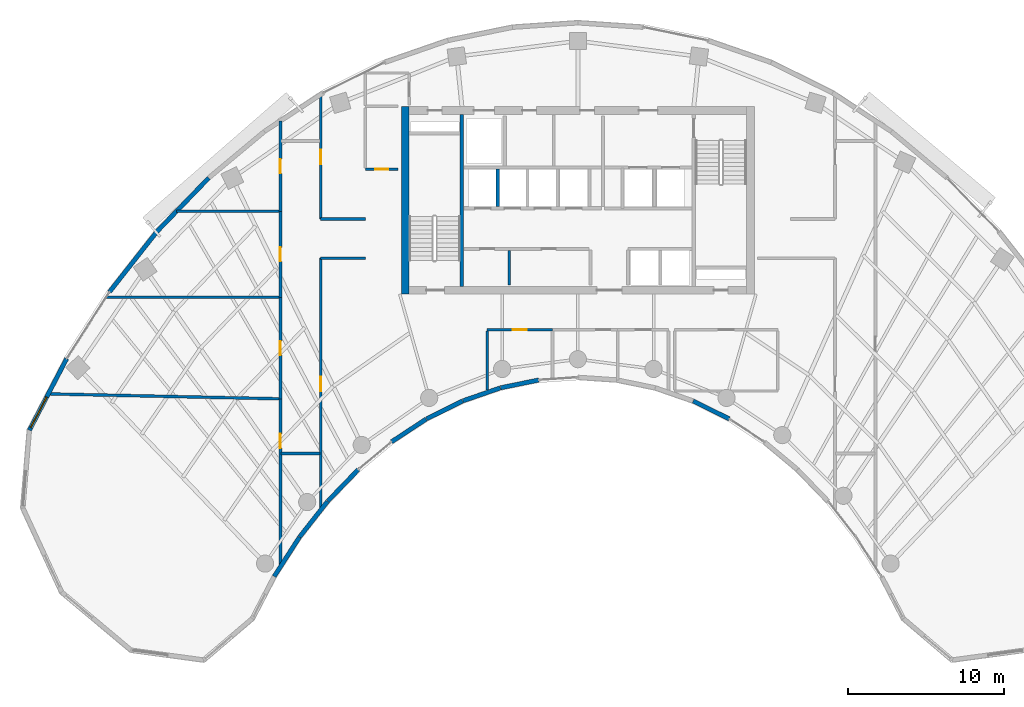
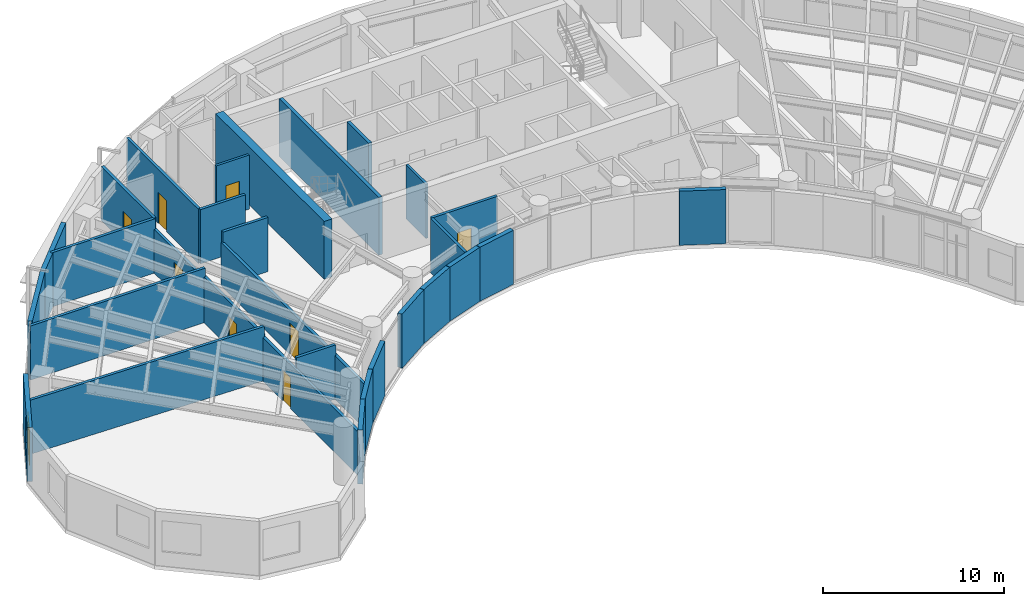
# One storey, part 7 of 13: 30 walls, 8 doors, 1 window, 9 openings.
"""IFC4 building model written with IfcOpenShell, lengths in metres."""

from ifc_helpers import new_model, si_unit, direction, frame, frame_2d, origin, place, context, subcontext, project, spatial, rectangle, extrude, source, transform, mapped, material, layer, layer_set, type_object, type_shapes, element, fill, save


model = new_model("IFC4")

# Units and contexts
model_context = context("Model", 3, precision=1e-05, world=origin(), true_north=direction((0.0, 1.0)))
body_context = subcontext(model_context, "Body", "Model", "MODEL_VIEW")
ifc_project = project(units=[si_unit("LENGTHUNIT", "METRE"), si_unit("AREAUNIT", "SQUARE_METRE"), si_unit("VOLUMEUNIT", "CUBIC_METRE"), si_unit("PLANEANGLEUNIT", "RADIAN"), si_unit("MASSUNIT", "GRAM", prefix="KILO")], contexts=[model_context])

# Site, building, storey
site_placement = place(None, origin())
site = spatial("IfcSite", under=ifc_project, at=site_placement, CompositionType="ELEMENT")
building_placement = place(site_placement, origin())
building = spatial("IfcBuilding", under=site, at=building_placement, Name="Breltana Convention Tower", CompositionType="ELEMENT")
storey_placement = place(building_placement, frame((0.0, 0.0, 170.10009765625)))
storey = spatial("IfcBuildingStorey", under=building, at=storey_placement, Name="L41", CompositionType="ELEMENT", Elevation=170.10009765625)

# Walls
ifc_material_1 = material(Name="Concrete C60/75", Category="concrete")
ifc_layer_1 = layer(ifc_material_1, 0.5, Name="Concrete C60/75")
ifc_layer_set_1 = layer_set([ifc_layer_1], Name="Concrete C60/75")
wall_type_1 = type_object("IfcWallType", Name="SW-CORE-500", PredefinedType="SHEAR", material=ifc_layer_set_1)
shared_shape_1 = source(origin(), body_context, "Body", "SweptSolid", [
    extrude(rectangle(XDim=12.0, YDim=0.5, at=frame_2d((6.0, 0.0))), origin(), (0.0, 0.0, 1.0), 3.89990234375),
])
wall_1_placement = place(storey_placement, frame((36.949951171875, 60.199951171875, 0.0), z_axis=(0.0, 0.0, 1.0), x_axis=(0.0, 1.0, 0.0)))
element("IfcWall", 1, at=wall_1_placement, inside=storey, type_object=wall_type_1, Name="L41 West Core Shear Wall", PredefinedType="SHEAR", context=body_context, shape_type="MappedRepresentation", body=[
    mapped(shared_shape_1, transform((0.0, 0.0, 0.0), scale=1.0)),
])
ifc_material_2 = material(Name="Concrete C50/60", Category="concrete")
ifc_layer_2 = layer(ifc_material_2, 0.39990234375, Name="Concrete C50/60")
ifc_layer_set_2 = layer_set([ifc_layer_2], Name="Concrete C50/60")
wall_type_2 = type_object("IfcWallType", Name="SW-CORE-400", PredefinedType="SHEAR", material=ifc_layer_set_2)
shared_shape_2 = source(origin(), body_context, "Body", "SweptSolid", [
    extrude(rectangle(XDim=11.0, YDim=0.219970703125, at=frame_2d((5.5, 0.0))), origin(), (0.0, 0.0, 1.0), 3.89990234375),
])
wall_2_placement = place(storey_placement, frame((40.580078125, 60.699951171875, 0.0), z_axis=(0.0, 0.0, 1.0), x_axis=(0.0, 1.0, 0.0)))
element("IfcWall", 2, at=wall_2_placement, inside=storey, type_object=wall_type_2, Name="L41 Core West Stair Spine Wall", PredefinedType="SHEAR", context=body_context, shape_type="MappedRepresentation", body=[
    mapped(shared_shape_2, transform((0.0, 0.0, 0.0), scale=1.0)),
])
ifc_material_3 = material(Name="Limestone Buff Insulated Wall", Category="masonry")
ifc_layer_3 = layer(ifc_material_3, 0.280029296875, Name="Limestone Buff Insulated Wall")
ifc_layer_set_3 = layer_set([ifc_layer_3], Name="Limestone Buff Insulated Wall")
wall_type_3 = type_object("IfcWallType", Name="WL-EXT-NOSE-280", PredefinedType="SOLIDWALL", material=ifc_layer_set_3)
shared_shape_3 = source(origin(), body_context, "Body", "SweptSolid", [
    extrude(rectangle(XDim=2.812255859375, YDim=0.280029296875, at=frame_2d((1.40625, 0.0))), origin(), (0.0, 0.0, 1.0), 3.64990234375),
])
wall_3_placement = place(storey_placement, frame((33.945068359375, 48.973388671875, 0.0), z_axis=(0.0, 0.0, 1.0), x_axis=(-0.694583668785, -0.719411931411, 0.0)))
element("IfcWall", 3, at=wall_3_placement, inside=storey, type_object=wall_type_3, Name="L41 curved limestone nose wall E17", PredefinedType="SOLIDWALL", context=body_context, shape_type="MappedRepresentation", body=[
    mapped(shared_shape_3, transform((0.0, 0.0, 0.0), scale=1.0)),
])
shared_shape_4 = source(origin(), body_context, "Body", "SweptSolid", [
    extrude(rectangle(XDim=2.58447265625, YDim=0.280029296875, at=frame_2d((1.292236328125, 0.0))), origin(), (0.0, 0.0, 1.0), 3.64990234375),
])
for number, where, z_axis, x_axis, name in (
    (4, (57.692138671875, 52.21337890625, 0.0), (0.0, 0.0, 1.0), (-0.895989792847, 0.44407464588, 0.0), "L41 curved limestone nose wall E9"),
    (5, (40.62353515625, 53.361083984375, 0.0), (0.0, 0.0, 1.0), (-0.895989792847, -0.44407464588, 0.0), "L41 curved limestone nose wall E15"),
):
    element("IfcWall", number, at=place(storey_placement, frame(where, z_axis=z_axis, x_axis=x_axis)), inside=storey, type_object=wall_type_3, Name=name, PredefinedType="SOLIDWALL", context=body_context, shape_type="MappedRepresentation", body=[
        mapped(shared_shape_4, transform((0.0, 0.0, 0.0), scale=1.0)),
    ])
shared_shape_5 = source(origin(), body_context, "Body", "SweptSolid", [
    extrude(rectangle(XDim=2.52978515625, YDim=0.280029296875, at=frame_2d((1.264892578125, 0.0))), origin(), (0.0, 0.0, 1.0), 3.64990234375),
])
wall_4_placement = place(storey_placement, frame((43.034912109375, 54.1982421875, 0.0), z_axis=(0.0, 0.0, 1.0), x_axis=(-0.944872429646, -0.327438683872, 0.0)))
element("IfcWall", 6, at=wall_4_placement, inside=storey, type_object=wall_type_3, Name="L41 curved limestone nose wall E14", PredefinedType="SOLIDWALL", context=body_context, shape_type="MappedRepresentation", body=[
    mapped(shared_shape_5, transform((0.0, 0.0, 0.0), scale=1.0)),
])
shared_shape_6 = source(origin(), body_context, "Body", "SweptSolid", [
    extrude(rectangle(XDim=2.4912109375, YDim=0.280029296875, at=frame_2d((1.24560546875, 0.0))), origin(), (0.0, 0.0, 1.0), 3.64990234375),
])
wall_5_placement = place(storey_placement, frame((45.498046875, 54.704833984375, 0.0), z_axis=(0.0, 0.0, 1.0), x_axis=(-0.979630885979, -0.200806691214, 0.0)))
element("IfcWall", 7, at=wall_5_placement, inside=storey, type_object=wall_type_3, Name="L41 curved limestone nose wall E13", PredefinedType="SOLIDWALL", context=body_context, shape_type="MappedRepresentation", body=[
    mapped(shared_shape_6, transform((0.0, 0.0, 0.0), scale=1.0)),
])
shared_shape_7 = source(origin(), body_context, "Body", "SweptSolid", [
    extrude(rectangle(XDim=2.65234375, YDim=0.280029296875, at=frame_2d((1.326171875, 0.0))), origin(), (0.0, 0.0, 1.0), 3.64990234375),
])
wall_6_placement = place(storey_placement, frame((38.2890625, 52.202392578125, 0.0), z_axis=(0.0, 0.0, 1.0), x_axis=(-0.836008323535, -0.54871676025, 0.0)))
element("IfcWall", 8, at=wall_6_placement, inside=storey, type_object=wall_type_3, Name="L41 curved limestone nose wall E16", PredefinedType="SOLIDWALL", context=body_context, shape_type="MappedRepresentation", body=[
    mapped(shared_shape_7, transform((0.0, 0.0, 0.0), scale=1.0)),
])
shared_shape_8 = source(origin(), body_context, "Body", "SweptSolid", [
    extrude(rectangle(XDim=2.89697265625, YDim=0.280029296875, at=frame_2d((1.448486328125, 0.0))), origin(), (0.0, 0.0, 1.0), 3.64990234375),
])
wall_7_placement = place(storey_placement, frame((31.9794921875, 46.936279296875, 0.0), z_axis=(0.0, 0.0, 1.0), x_axis=(-0.618167636915, -0.786046291685, 0.0)))
element("IfcWall", 9, at=wall_7_placement, inside=storey, type_object=wall_type_3, Name="L41 curved limestone nose wall E18", PredefinedType="SOLIDWALL", context=body_context, shape_type="MappedRepresentation", body=[
    mapped(shared_shape_8, transform((0.0, 0.0, 0.0), scale=1.0)),
])
shared_shape_9 = source(origin(), body_context, "Body", "SweptSolid", [
    extrude(rectangle(XDim=2.980712890625, YDim=0.280029296875, at=frame_2d((1.490234375, 0.0))), origin(), (0.0, 0.0, 1.0), 3.64990234375),
])
wall_8_placement = place(storey_placement, frame((30.1787109375, 44.64501953125, 0.0), z_axis=(0.0, 0.0, 1.0), x_axis=(-0.540194451908, -0.841540227278, 0.0)))
element("IfcWall", 10, at=wall_8_placement, inside=storey, type_object=wall_type_3, Name="L41 curved limestone nose wall E19", PredefinedType="SOLIDWALL", context=body_context, shape_type="MappedRepresentation", body=[
    mapped(shared_shape_9, transform((0.0, 0.0, 0.0), scale=1.0)),
])

# Wall, opening, window
shared_shape_10 = source(origin(), body_context, "Body", "SweptSolid", [
    extrude(rectangle(XDim=5.1708984375, YDim=0.280029296875, at=frame_2d((2.58544921875, 0.0))), origin(), (0.0, 0.0, 1.0), 3.64990234375),
])
wall_9_placement = place(storey_placement, frame((12.897705078125, 51.48876953125, 0.0), z_axis=(0.0, 0.0, 1.0), x_axis=(0.461752581363, 0.887008767491, 0.0)))
wall_9 = element("IfcWall", 11, at=wall_9_placement, inside=storey, type_object=wall_type_3, Name="L41 curved limestone nose wall W7", PredefinedType="SOLIDWALL", context=body_context, shape_type="MappedRepresentation", body=[
    mapped(shared_shape_10, transform((0.0, 0.0, 0.0), scale=1.0)),
])
opening_1_placement = place(wall_9_placement, frame((0.19287109375, 0.0, 0.949951171875)))
opening_1 = element("IfcOpeningElement", 12, at=opening_1_placement, cuts=wall_9, Name="Opening W-03", PredefinedType="OPENING", context=body_context, shape_type="SweptSolid", body=[
    extrude(rectangle(XDim=2.199951171875, YDim=2.10009765625, at=frame_2d((1.10009765625, 1.050048828125))), frame((0.0, 0.14990234375, 0.0), z_axis=(0.0, -1.0, 0.0), x_axis=(1.0, 0.0, 0.0)), (0.0, 0.0, 1.0), 0.300048828125),
])
ifc_material_4 = material(Name="Glass Low-E Insulated Window", Category="glass")
window_type = type_object("IfcWindowType", Name="WN-NOSE-2200X2100", PartitioningType="TRIPLE_PANEL_VERTICAL", PredefinedType="WINDOW", material=ifc_material_4)
shared_shape_11 = source(origin(), body_context, "Body", "SweptSolid", [
    extrude(rectangle(XDim=2.199951171875, YDim=2.10009765625, at=frame_2d((1.10009765625, 1.050048828125))), frame((0.0, 0.030029296875, 0.0), z_axis=(0.0, -1.0, 0.0), x_axis=(1.0, 0.0, 0.0)), (0.0, 0.0, 1.0), 0.06005859375),
])
type_shapes(window_type, [shared_shape_11])
window_placement = place(opening_1_placement, origin())
window = element("IfcWindow", 13, at=window_placement, inside=storey, type_object=window_type, Name="L41 nose window W7", OverallHeight=2.10009765625, OverallWidth=2.199951171875, PartitioningType="TRIPLE_PANEL_VERTICAL", PredefinedType="WINDOW", context=body_context, shape_type="MappedRepresentation", body=[
    mapped(shared_shape_11, transform((0.0, 0.0, 0.0), scale=1.0)),
])
fill(opening_1, window)

# Walls
shared_shape_12 = source(origin(), body_context, "Body", "SweptSolid", [
    extrude(rectangle(XDim=4.921630859375, YDim=0.280029296875, at=frame_2d((2.4609375, 0.0))), origin(), (0.0, 0.0, 1.0), 3.64990234375),
])
wall_10_placement = place(storey_placement, frame((18.021240234375, 60.337646484375, 0.0), z_axis=(0.0, 0.0, 1.0), x_axis=(0.61817639101, 0.786039407153, 0.0)))
element("IfcWall", 14, at=wall_10_placement, inside=storey, type_object=wall_type_3, Name="L41 curved limestone nose wall E20", PredefinedType="SOLIDWALL", context=body_context, shape_type="MappedRepresentation", body=[
    mapped(shared_shape_12, transform((0.0, 0.0, 0.0), scale=1.0)),
])
shared_shape_13 = source(origin(), body_context, "Body", "SweptSolid", [
    extrude(rectangle(XDim=4.77587890625, YDim=0.280029296875, at=frame_2d((2.387939453125, 0.0))), origin(), (0.0, 0.0, 1.0), 3.64990234375),
])
wall_11_placement = place(storey_placement, frame((21.063720703125, 64.206298828125, 0.0), z_axis=(0.0, 0.0, 1.0), x_axis=(0.694601811851, 0.719394414055, 0.0)))
element("IfcWall", 15, at=wall_11_placement, inside=storey, type_object=wall_type_3, Name="L41 curved limestone nose wall E21", PredefinedType="SOLIDWALL", context=body_context, shape_type="MappedRepresentation", body=[
    mapped(shared_shape_13, transform((0.0, 0.0, 0.0), scale=1.0)),
])
ifc_material_5 = material(Name="Autoclaved Aerated Concrete Block", Category="concrete")
ifc_layer_4 = layer(ifc_material_5, 0.199951171875, Name="Autoclaved Aerated Concrete Block")
ifc_layer_set_4 = layer_set([ifc_layer_4], Name="Autoclaved Aerated Concrete Block")
wall_type_4 = type_object("IfcWallType", Name="WL-SHAFT-200", PredefinedType="SOLIDWALL", material=ifc_layer_set_4)
shared_shape_14 = source(origin(), body_context, "Body", "SweptSolid", [
    extrude(rectangle(XDim=2.39990234375, YDim=0.199951171875, at=frame_2d((1.199951171875, 0.0))), origin(), (0.0, 0.0, 1.0), 3.64990234375),
])
wall_12_placement = place(storey_placement, frame((42.8701171875, 65.800048828125, 0.0), z_axis=(0.0, 0.0, 1.0), x_axis=(0.0, 1.0, 0.0)))
element("IfcWall", 16, at=wall_12_placement, inside=storey, type_object=wall_type_4, Name="L41 interior partition W-L41-SH-M-DIV1", PredefinedType="SOLIDWALL", context=body_context, shape_type="MappedRepresentation", body=[
    mapped(shared_shape_14, transform((0.0, 0.0, 0.0), scale=1.0)),
])

# Wall, opening, door
ifc_material_6 = material(Name="Moisture-Resistant Gypsum Chase Wall")
ifc_layer_5 = layer(ifc_material_6, 0.179931640625, Name="Moisture-Resistant Gypsum Chase Wall")
ifc_layer_set_5 = layer_set([ifc_layer_5], Name="Moisture-Resistant Gypsum Chase Wall")
wall_type_5 = type_object("IfcWallType", Name="WL-PLUMB-180", PredefinedType="PLUMBINGWALL", material=ifc_layer_set_5)
shared_shape_15 = source(origin(), body_context, "Body", "SweptSolid", [
    extrude(rectangle(XDim=4.176025390625, YDim=0.179931640625, at=frame_2d((2.087890625, 0.0))), origin(), (0.0, 0.0, 1.0), 3.64990234375),
])
wall_13_placement = place(storey_placement, frame((42.199951171875, 57.919921875, 0.0), z_axis=(0.0, 0.0, 1.0), x_axis=(1.0, 0.0, 0.0)))
wall_13 = element("IfcWall", 17, at=wall_13_placement, inside=storey, type_object=wall_type_5, Name="L41 interior partition W-L41-WCM-N", PredefinedType="PLUMBINGWALL", context=body_context, shape_type="MappedRepresentation", body=[
    mapped(shared_shape_15, transform((0.0, 0.0, 0.0), scale=1.0)),
])
opening_2_placement = place(wall_13_placement, frame((1.637939453125, 0.0, 0.0)))
opening_2 = element("IfcOpeningElement", 18, at=opening_2_placement, cuts=wall_13, Name="Opening D-19", PredefinedType="OPENING", context=body_context, shape_type="SweptSolid", body=[
    extrude(rectangle(XDim=0.89990234375, YDim=2.080078125, at=frame_2d((0.449951171875, 1.0400390625))), frame((0.0, 0.10009765625, 0.0), z_axis=(0.0, -1.0, 0.0), x_axis=(1.0, 0.0, 0.0)), (0.0, 0.0, 1.0), 0.199951171875),
])
ifc_material_7 = material(Name="Timber Moisture-Resistant Door", Category="wood")
door_type_1 = type_object("IfcDoorType", Name="DR-WC-900", OperationType="NOTDEFINED", PredefinedType="DOOR", material=ifc_material_7)
shared_shape_16 = source(origin(), body_context, "Body", "SweptSolid", [
    extrude(rectangle(XDim=0.89990234375, YDim=2.080078125, at=frame_2d((0.449951171875, 1.0400390625))), frame((0.0, 0.02490234375, 0.0), z_axis=(0.0, -1.0, 0.0), x_axis=(1.0, 0.0, 0.0)), (0.0, 0.0, 1.0), 0.050048828125),
])
type_shapes(door_type_1, [shared_shape_16])
door_1_placement = place(opening_2_placement, origin())
door_1 = element("IfcDoor", 19, at=door_1_placement, inside=storey, type_object=door_type_1, Name="L41 interior door D-L41-WCM", OperationType="SINGLE_SWING_LEFT", OverallHeight=2.080078125, OverallWidth=0.89990234375, PredefinedType="DOOR", context=body_context, shape_type="MappedRepresentation", body=[
    mapped(shared_shape_16, transform((0.0, 0.0, 0.0), scale=1.0)),
])
fill(opening_2, door_1)

# Walls
ifc_material_8 = material(Name="Cement Board Wet-Area Partition")
ifc_layer_6 = layer(ifc_material_8, 0.175048828125, Name="Cement Board Wet-Area Partition")
ifc_layer_set_6 = layer_set([ifc_layer_6], Name="Cement Board Wet-Area Partition")
wall_type_6 = type_object("IfcWallType", Name="WL-WET-175", PredefinedType="PARTITIONING", material=ifc_layer_set_6)
shared_shape_17 = source(origin(), body_context, "Body", "SweptSolid", [
    extrude(rectangle(XDim=3.7626953125, YDim=0.175048828125, at=frame_2d((1.88134765625, 0.0))), origin(), (0.0, 0.0, 1.0), 3.64990234375),
])
wall_14_placement = place(storey_placement, frame((42.199951171875, 54.07861328125, 0.0), z_axis=(0.0, 0.0, 1.0), x_axis=(0.0, 1.0, 0.0)))
element("IfcWall", 20, at=wall_14_placement, inside=storey, type_object=wall_type_6, Name="L41 interior partition W-L41-WCM-W", PredefinedType="PARTITIONING", context=body_context, shape_type="MappedRepresentation", body=[
    mapped(shared_shape_17, transform((0.0, 0.0, 0.0), scale=1.0)),
])
ifc_material_9 = material(Name="Gypsum Acoustic Drywall Partition")
ifc_layer_7 = layer(ifc_material_9, 0.14990234375, Name="Gypsum Acoustic Drywall Partition")
ifc_layer_set_7 = layer_set([ifc_layer_7], Name="Gypsum Acoustic Drywall Partition")
wall_type_7 = type_object("IfcWallType", Name="WL-PART-150", PredefinedType="PARTITIONING", material=ifc_layer_set_7)
shared_shape_18 = source(origin(), body_context, "Body", "SweptSolid", [
    extrude(rectangle(XDim=2.199951171875, YDim=0.14990234375, at=frame_2d((1.10009765625, 0.0))), origin(), (0.0, 0.0, 1.0), 3.64990234375),
])
wall_15_placement = place(storey_placement, frame((43.60009765625, 60.800048828125, 0.0), z_axis=(0.0, 0.0, 1.0), x_axis=(0.0, 1.0, 0.0)))
element("IfcWall", 21, at=wall_15_placement, inside=storey, type_object=wall_type_7, Name="L41 interior partition W-L41-LV7-B1-DIV", PredefinedType="PARTITIONING", context=body_context, shape_type="MappedRepresentation", body=[
    mapped(shared_shape_18, transform((0.0, 0.0, 0.0), scale=1.0)),
])

# Wall, opening, door
shared_shape_19 = source(origin(), body_context, "Body", "SweptSolid", [
    extrude(rectangle(XDim=2.10009765625, YDim=0.14990234375, at=frame_2d((1.050048828125, 0.0))), origin(), (0.0, 0.0, 1.0), 3.64990234375),
])
wall_16_placement = place(storey_placement, frame((34.39990234375, 68.199951171875, 0.0), z_axis=(0.0, 0.0, 1.0), x_axis=(1.0, 0.0, 0.0)))
wall_16 = element("IfcWall", 22, at=wall_16_placement, inside=storey, type_object=wall_type_7, Name="L41 interior partition W-L41-CRSW-S", PredefinedType="PARTITIONING", context=body_context, shape_type="MappedRepresentation", body=[
    mapped(shared_shape_19, transform((0.0, 0.0, 0.0), scale=1.0)),
])
opening_3_placement = place(wall_16_placement, frame((0.625, 0.0, 0.0)))
opening_3 = element("IfcOpeningElement", 23, at=opening_3_placement, cuts=wall_16, Name="Opening D-20", PredefinedType="OPENING", context=body_context, shape_type="SweptSolid", body=[
    extrude(rectangle(XDim=0.85009765625, YDim=2.10009765625, at=frame_2d((0.425048828125, 1.050048828125))), frame((0.0, 0.0849609375, 0.0), z_axis=(0.0, -1.0, 0.0), x_axis=(1.0, 0.0, 0.0)), (0.0, 0.0, 1.0), 0.169921875),
])
ifc_material_10 = material(Name="Steel Closet Fire Door", Category="steel")
door_type_2 = type_object("IfcDoorType", Name="DR-FD60-850", OperationType="NOTDEFINED", PredefinedType="DOOR", material=ifc_material_10)
shared_shape_20 = source(origin(), body_context, "Body", "SweptSolid", [
    extrude(rectangle(XDim=0.85009765625, YDim=2.10009765625, at=frame_2d((0.425048828125, 1.050048828125))), frame((0.0, 0.02490234375, 0.0), z_axis=(0.0, -1.0, 0.0), x_axis=(1.0, 0.0, 0.0)), (0.0, 0.0, 1.0), 0.050048828125),
])
type_shapes(door_type_2, [shared_shape_20])
door_2_placement = place(opening_3_placement, origin())
door_2 = element("IfcDoor", 24, at=door_2_placement, inside=storey, type_object=door_type_2, Name="L41 interior door D-L41-CRSW", OperationType="SINGLE_SWING_RIGHT", OverallHeight=2.10009765625, OverallWidth=0.85009765625, PredefinedType="DOOR", context=body_context, shape_type="MappedRepresentation", body=[
    mapped(shared_shape_20, transform((0.0, 0.0, 0.0), scale=1.0)),
])
fill(opening_3, door_2)

# Wall
shared_shape_21 = source(origin(), body_context, "Body", "SweptSolid", [
    extrude(rectangle(XDim=2.5, YDim=0.179931640625, at=frame_2d((1.25, 0.0))), origin(), (0.0, 0.0, 1.0), 3.64990234375),
])
wall_17_placement = place(storey_placement, frame((29.0, 50.0, 0.0), z_axis=(0.0, 0.0, 1.0), x_axis=(1.0, 0.0, 0.0)))
element("IfcWall", 25, at=wall_17_placement, inside=storey, type_object=wall_type_5, Name="L41 interior partition W-L41-CORNW-S", PredefinedType="PLUMBINGWALL", context=body_context, shape_type="MappedRepresentation", body=[
    mapped(shared_shape_21, transform((0.0, 0.0, 0.0), scale=1.0)),
])

# Wall, opening, door
shared_shape_22 = source(origin(), body_context, "Body", "SweptSolid", [
    extrude(rectangle(XDim=10.735107421875, YDim=0.179931640625, at=frame_2d((5.36767578125, 0.0))), origin(), (0.0, 0.0, 1.0), 2.94189453125),
])
wall_18_placement = place(storey_placement, frame((28.9599609375, 42.764892578125, 0.0), z_axis=(0.0, 0.0, 1.0), x_axis=(0.0, 1.0, 0.0)))
wall_18 = element("IfcWall", 26, at=wall_18_placement, inside=storey, type_object=wall_type_5, Name="L41 interior partition W-L41-ZW1-E", PredefinedType="PLUMBINGWALL", context=body_context, shape_type="MappedRepresentation", body=[
    mapped(shared_shape_22, transform((0.0, 0.0, 0.0), scale=1.0)),
])
opening_4_placement = place(wall_18_placement, frame((7.585205078125, 0.0, 0.0)))
opening_4 = element("IfcOpeningElement", 27, at=opening_4_placement, cuts=wall_18, Name="Opening D-19", PredefinedType="OPENING", context=body_context, shape_type="SweptSolid", body=[
    extrude(rectangle(XDim=0.89990234375, YDim=2.080078125, at=frame_2d((0.449951171875, 1.0400390625))), frame((0.0, 0.10009765625, 0.0), z_axis=(0.0, -1.0, 0.0), x_axis=(1.0, 0.0, 0.0)), (0.0, 0.0, 1.0), 0.199951171875),
])
door_3_placement = place(opening_4_placement, origin())
door_3 = element("IfcDoor", 28, at=door_3_placement, inside=storey, type_object=door_type_1, Name="L41 interior door D-L41-ZW1", OperationType="SINGLE_SWING_LEFT", OverallHeight=2.080078125, OverallWidth=0.89990234375, PredefinedType="DOOR", context=body_context, shape_type="MappedRepresentation", body=[
    mapped(shared_shape_16, transform((0.0, 0.0, 0.0), scale=1.0)),
])
fill(opening_4, door_3)

# Wall
shared_shape_23 = source(origin(), body_context, "Body", "SweptSolid", [
    extrude(rectangle(XDim=14.720458984375, YDim=0.179931640625, at=frame_2d((7.3603515625, 0.0))), origin(), (0.0, 0.0, 1.0), 3.64990234375),
])
wall_19_placement = place(storey_placement, frame((14.242919921875, 53.81298828125, 0.0), z_axis=(0.0, 0.0, 1.0), x_axis=(0.999773932637, -0.021262258118, 0.0)))
element("IfcWall", 29, at=wall_19_placement, inside=storey, type_object=wall_type_5, Name="L41 interior partition W-L41-ZW1-N", PredefinedType="PLUMBINGWALL", context=body_context, shape_type="MappedRepresentation", body=[
    mapped(shared_shape_23, transform((0.0, 0.0, 0.0), scale=1.0)),
])

# Wall, opening, door
shared_shape_24 = source(origin(), body_context, "Body", "SweptSolid", [
    extrude(rectangle(XDim=6.5, YDim=0.179931640625, at=frame_2d((3.25, 0.0))), origin(), (0.0, 0.0, 1.0), 3.080810546875),
])
wall_20_placement = place(storey_placement, frame((28.9599609375, 53.5, 0.0), z_axis=(0.0, 0.0, 1.0), x_axis=(0.0, 1.0, 0.0)))
wall_20 = element("IfcWall", 30, at=wall_20_placement, inside=storey, type_object=wall_type_5, Name="L41 interior partition W-L41-ZW2-E", PredefinedType="PLUMBINGWALL", context=body_context, shape_type="MappedRepresentation", body=[
    mapped(shared_shape_24, transform((0.0, 0.0, 0.0), scale=1.0)),
])
opening_5_placement = place(wall_20_placement, frame((2.800048828125, 0.0, 0.0)))
opening_5 = element("IfcOpeningElement", 31, at=opening_5_placement, cuts=wall_20, Name="Opening D-19", PredefinedType="OPENING", context=body_context, shape_type="SweptSolid", body=[
    extrude(rectangle(XDim=0.89990234375, YDim=2.080078125, at=frame_2d((0.449951171875, 1.0400390625))), frame((0.0, 0.10009765625, 0.0), z_axis=(0.0, -1.0, 0.0), x_axis=(1.0, 0.0, 0.0)), (0.0, 0.0, 1.0), 0.199951171875),
])
door_4_placement = place(opening_5_placement, origin())
door_4 = element("IfcDoor", 32, at=door_4_placement, inside=storey, type_object=door_type_1, Name="L41 interior door D-L41-ZW2", OperationType="SINGLE_SWING_RIGHT", OverallHeight=2.080078125, OverallWidth=0.89990234375, PredefinedType="DOOR", context=body_context, shape_type="MappedRepresentation", body=[
    mapped(shared_shape_16, transform((0.0, 0.0, 0.0), scale=1.0)),
])
fill(opening_5, door_4)

# Wall
shared_shape_25 = source(origin(), body_context, "Body", "SweptSolid", [
    extrude(rectangle(XDim=11.1435546875, YDim=0.179931640625, at=frame_2d((5.57177734375, 0.0))), origin(), (0.0, 0.0, 1.0), 3.64990234375),
])
wall_21_placement = place(storey_placement, frame((17.81640625, 60.0, 0.0), z_axis=(0.0, 0.0, 1.0), x_axis=(1.0, 0.0, 0.0)))
element("IfcWall", 33, at=wall_21_placement, inside=storey, type_object=wall_type_5, Name="L41 interior partition W-L41-ZW2-N", PredefinedType="PLUMBINGWALL", context=body_context, shape_type="MappedRepresentation", body=[
    mapped(shared_shape_25, transform((0.0, 0.0, 0.0), scale=1.0)),
])

# Wall, opening, door
shared_shape_26 = source(origin(), body_context, "Body", "SweptSolid", [
    extrude(rectangle(XDim=5.5, YDim=0.179931640625, at=frame_2d((2.75, 0.0))), origin(), (0.0, 0.0, 1.0), 2.94189453125),
])
wall_22_placement = place(storey_placement, frame((28.9599609375, 60.0, 0.0), z_axis=(0.0, 0.0, 1.0), x_axis=(0.0, 1.0, 0.0)))
wall_22 = element("IfcWall", 34, at=wall_22_placement, inside=storey, type_object=wall_type_5, Name="L41 interior partition W-L41-ZW3-E", PredefinedType="PLUMBINGWALL", context=body_context, shape_type="MappedRepresentation", body=[
    mapped(shared_shape_26, transform((0.0, 0.0, 0.0), scale=1.0)),
])
opening_6_placement = place(wall_22_placement, frame((2.300048828125, 0.0, 0.0)))
opening_6 = element("IfcOpeningElement", 35, at=opening_6_placement, cuts=wall_22, Name="Opening D-19", PredefinedType="OPENING", context=body_context, shape_type="SweptSolid", body=[
    extrude(rectangle(XDim=0.89990234375, YDim=2.080078125, at=frame_2d((0.449951171875, 1.0400390625))), frame((0.0, 0.10009765625, 0.0), z_axis=(0.0, -1.0, 0.0), x_axis=(1.0, 0.0, 0.0)), (0.0, 0.0, 1.0), 0.199951171875),
])
door_5_placement = place(opening_6_placement, origin())
door_5 = element("IfcDoor", 36, at=door_5_placement, inside=storey, type_object=door_type_1, Name="L41 interior door D-L41-ZW3", OperationType="SINGLE_SWING_LEFT", OverallHeight=2.080078125, OverallWidth=0.89990234375, PredefinedType="DOOR", context=body_context, shape_type="MappedRepresentation", body=[
    mapped(shared_shape_16, transform((0.0, 0.0, 0.0), scale=1.0)),
])
fill(opening_6, door_5)

# Wall
shared_shape_27 = source(origin(), body_context, "Body", "SweptSolid", [
    extrude(rectangle(XDim=6.63330078125, YDim=0.179931640625, at=frame_2d((3.316650390625, 0.0))), origin(), (0.0, 0.0, 1.0), 3.64990234375),
])
wall_23_placement = place(storey_placement, frame((22.32666015625, 65.5, 0.0), z_axis=(0.0, 0.0, 1.0), x_axis=(1.0, 0.0, 0.0)))
element("IfcWall", 37, at=wall_23_placement, inside=storey, type_object=wall_type_5, Name="L41 interior partition W-L41-ZW3-N", PredefinedType="PLUMBINGWALL", context=body_context, shape_type="MappedRepresentation", body=[
    mapped(shared_shape_27, transform((0.0, 0.0, 0.0), scale=1.0)),
])

# Wall, opening, door
shared_shape_28 = source(origin(), body_context, "Body", "SweptSolid", [
    extrude(rectangle(XDim=5.76806640625, YDim=0.179931640625, at=frame_2d((2.884033203125, 0.0))), origin(), (0.0, 0.0, 1.0), 3.64990234375),
])
wall_24_placement = place(storey_placement, frame((28.9599609375, 65.5, 0.0), z_axis=(0.0, 0.0, 1.0), x_axis=(0.0, 1.0, 0.0)))
wall_24 = element("IfcWall", 38, at=wall_24_placement, inside=storey, type_object=wall_type_5, Name="L41 interior partition W-L41-ZW4-E", PredefinedType="PLUMBINGWALL", context=body_context, shape_type="MappedRepresentation", body=[
    mapped(shared_shape_28, transform((0.0, 0.0, 0.0), scale=1.0)),
])
opening_7_placement = place(wall_24_placement, frame((2.43408203125, 0.0, 0.0)))
opening_7 = element("IfcOpeningElement", 39, at=opening_7_placement, cuts=wall_24, Name="Opening D-19", PredefinedType="OPENING", context=body_context, shape_type="SweptSolid", body=[
    extrude(rectangle(XDim=0.89990234375, YDim=2.080078125, at=frame_2d((0.449951171875, 1.0400390625))), frame((0.0, 0.10009765625, 0.0), z_axis=(0.0, -1.0, 0.0), x_axis=(1.0, 0.0, 0.0)), (0.0, 0.0, 1.0), 0.199951171875),
])
door_6_placement = place(opening_7_placement, origin())
door_6 = element("IfcDoor", 40, at=door_6_placement, inside=storey, type_object=door_type_1, Name="L41 interior door D-L41-ZW4", OperationType="SINGLE_SWING_RIGHT", OverallHeight=2.080078125, OverallWidth=0.89990234375, PredefinedType="DOOR", context=body_context, shape_type="MappedRepresentation", body=[
    mapped(shared_shape_16, transform((0.0, 0.0, 0.0), scale=1.0)),
])
fill(opening_7, door_6)

shared_shape_29 = source(origin(), body_context, "Body", "SweptSolid", [
    extrude(rectangle(XDim=16.1064453125, YDim=0.179931640625, at=frame_2d((8.05322265625, 0.0))), origin(), (0.0, 0.0, 1.0), 2.94189453125),
])
wall_25_placement = place(storey_placement, frame((31.5400390625, 46.3935546875, 0.0), z_axis=(0.0, 0.0, 1.0), x_axis=(0.0, 1.0, 0.0)))
wall_25 = element("IfcWall", 41, at=wall_25_placement, inside=storey, type_object=wall_type_5, Name="L41 interior partition W-L41-ZMW1-D", PredefinedType="PLUMBINGWALL", context=body_context, shape_type="MappedRepresentation", body=[
    mapped(shared_shape_29, transform((0.0, 0.0, 0.0), scale=1.0)),
])
opening_8_placement = place(wall_25_placement, frame((7.578125, 0.0, 0.0)))
opening_8 = element("IfcOpeningElement", 42, at=opening_8_placement, cuts=wall_25, Name="Opening D-17", PredefinedType="OPENING", context=body_context, shape_type="SweptSolid", body=[
    extrude(rectangle(XDim=0.949951171875, YDim=2.10009765625, at=frame_2d((0.47509765625, 1.050048828125))), frame((0.0, 0.10009765625, 0.0), z_axis=(0.0, -1.0, 0.0), x_axis=(1.0, 0.0, 0.0)), (0.0, 0.0, 1.0), 0.199951171875),
])
ifc_material_11 = material(Name="Timber Oak Veneer Door", Category="wood")
door_type_3 = type_object("IfcDoorType", Name="DR-INT-950", OperationType="NOTDEFINED", PredefinedType="DOOR", material=ifc_material_11)
shared_shape_30 = source(origin(), body_context, "Body", "SweptSolid", [
    extrude(rectangle(XDim=0.949951171875, YDim=2.10009765625, at=frame_2d((0.47509765625, 1.050048828125))), frame((0.0, 0.02490234375, 0.0), z_axis=(0.0, -1.0, 0.0), x_axis=(1.0, 0.0, 0.0)), (0.0, 0.0, 1.0), 0.050048828125),
])
type_shapes(door_type_3, [shared_shape_30])
door_7_placement = place(opening_8_placement, origin())
door_7 = element("IfcDoor", 43, at=door_7_placement, inside=storey, type_object=door_type_3, Name="L41 interior door D-L41-ZMW1", OperationType="SINGLE_SWING_RIGHT", OverallHeight=2.10009765625, OverallWidth=0.949951171875, PredefinedType="DOOR", context=body_context, shape_type="MappedRepresentation", body=[
    mapped(shared_shape_30, transform((0.0, 0.0, 0.0), scale=1.0)),
])
fill(opening_8, door_7)

# Walls
shared_shape_31 = source(origin(), body_context, "Body", "SweptSolid", [
    extrude(rectangle(XDim=2.85986328125, YDim=0.179931640625, at=frame_2d((1.429931640625, 0.0))), origin(), (0.0, 0.0, 1.0), 3.64990234375),
])
for number, where, z_axis, x_axis, name in (
    (44, (31.5400390625, 62.5, 0.0), (0.0, 0.0, 1.0), (1.0, 0.0, 0.0), "L41 interior partition W-L41-ZMW1-TN"),
    (45, (31.5400390625, 65.0, 0.0), (0.0, 0.0, 1.0), (1.0, 0.0, 0.0), "L41 interior partition W-L41-ZMW2-TS"),
):
    element("IfcWall", number, at=place(storey_placement, frame(where, z_axis=z_axis, x_axis=x_axis)), inside=storey, type_object=wall_type_5, Name=name, PredefinedType="PLUMBINGWALL", context=body_context, shape_type="MappedRepresentation", body=[
        mapped(shared_shape_31, transform((0.0, 0.0, 0.0), scale=1.0)),
    ])

# Wall, opening, door
shared_shape_32 = source(origin(), body_context, "Body", "SweptSolid", [
    extrude(rectangle(XDim=7.9619140625, YDim=0.179931640625, at=frame_2d((3.98095703125, 0.0))), origin(), (0.0, 0.0, 1.0), 3.64990234375),
])
wall_26_placement = place(storey_placement, frame((31.5400390625, 65.0, 0.0), z_axis=(0.0, 0.0, 1.0), x_axis=(0.0, 1.0, 0.0)))
wall_26 = element("IfcWall", 46, at=wall_26_placement, inside=storey, type_object=wall_type_5, Name="L41 interior partition W-L41-ZMW2-D", PredefinedType="PLUMBINGWALL", context=body_context, shape_type="MappedRepresentation", body=[
    mapped(shared_shape_32, transform((0.0, 0.0, 0.0), scale=1.0)),
])
opening_9_placement = place(wall_26_placement, frame((3.505859375, 0.0, 0.0)))
opening_9 = element("IfcOpeningElement", 47, at=opening_9_placement, cuts=wall_26, Name="Opening D-17", PredefinedType="OPENING", context=body_context, shape_type="SweptSolid", body=[
    extrude(rectangle(XDim=0.949951171875, YDim=2.10009765625, at=frame_2d((0.47509765625, 1.050048828125))), frame((0.0, 0.10009765625, 0.0), z_axis=(0.0, -1.0, 0.0), x_axis=(1.0, 0.0, 0.0)), (0.0, 0.0, 1.0), 0.199951171875),
])
door_8_placement = place(opening_9_placement, origin())
door_8 = element("IfcDoor", 48, at=door_8_placement, inside=storey, type_object=door_type_3, Name="L41 interior door D-L41-ZMW2", OperationType="SINGLE_SWING_LEFT", OverallHeight=2.10009765625, OverallWidth=0.949951171875, PredefinedType="DOOR", context=body_context, shape_type="MappedRepresentation", body=[
    mapped(shared_shape_30, transform((0.0, 0.0, 0.0), scale=1.0)),
])
fill(opening_9, door_8)

save(model, "model.ifc")
